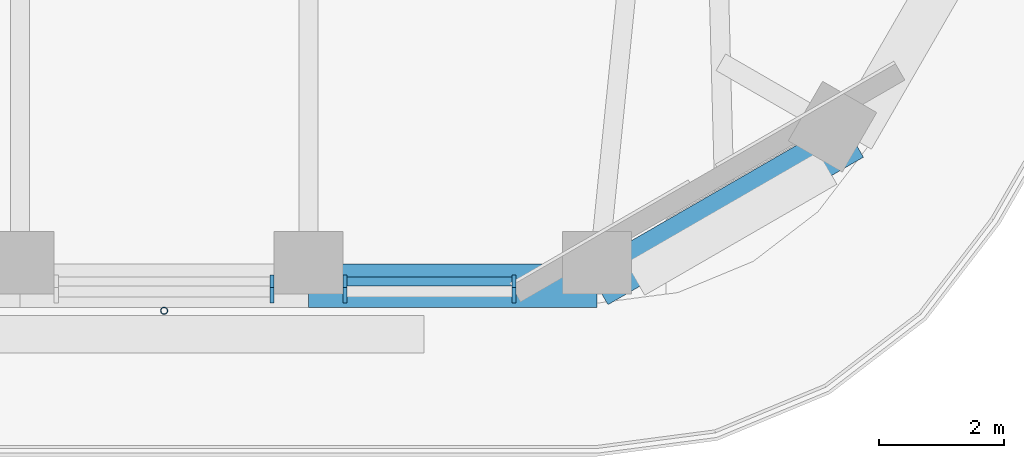
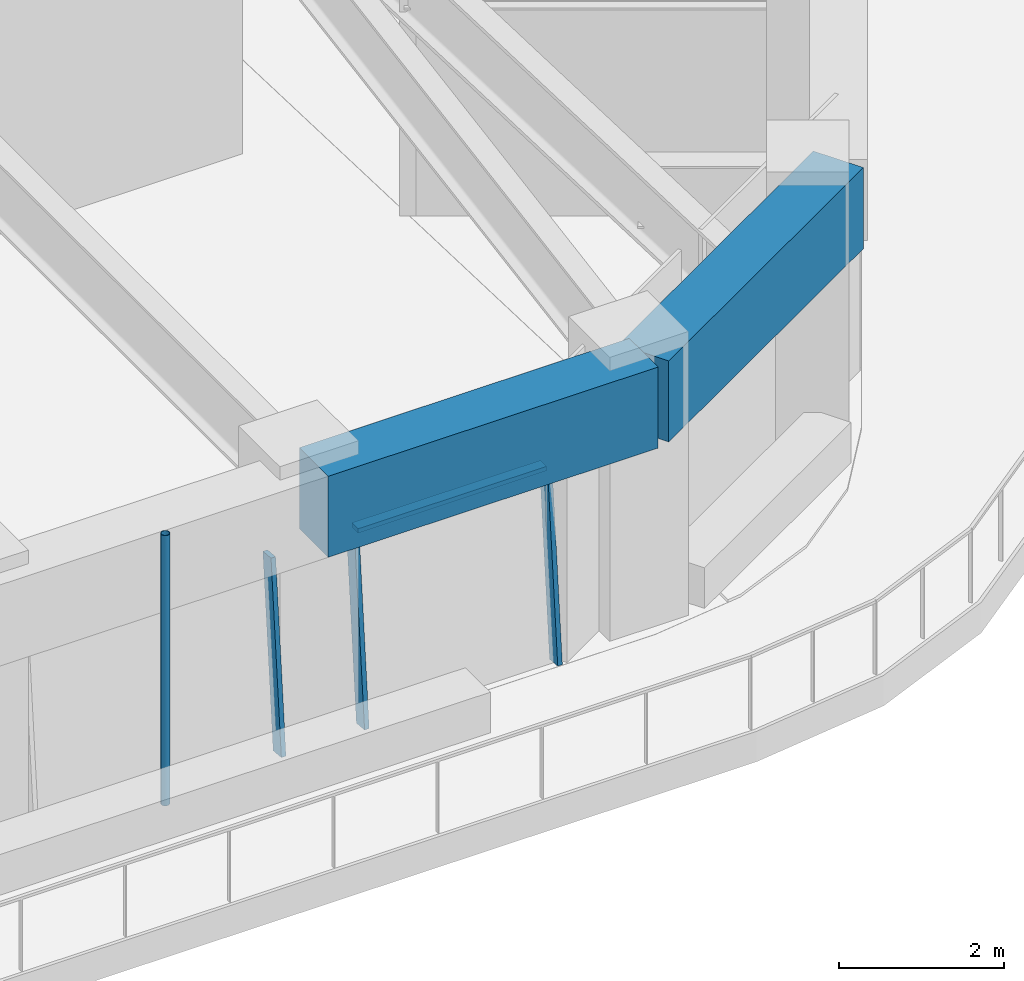
# One storey, part 4 of 20: 5 members, 2 beams, 2 elements without a shape of their own.
"""IFC4 building model written with IfcOpenShell, lengths in metres."""

from ifc_helpers import new_model, si_unit, direction, frame, origin, origin_2d, place, context, subcontext, project, spatial, rectangle, hollow_circle, extrude, material, material_profile, profile_set, type_object, element, aggregate, save


model = new_model("IFC4")

# Units and contexts
model_context = context("Model", 3, precision=1e-05, world=origin(), true_north=direction((0.0, 1.0)))
body_context = subcontext(model_context, "Body", "Model", "MODEL_VIEW")
ifc_project = project(units=[si_unit("LENGTHUNIT", "METRE"), si_unit("AREAUNIT", "SQUARE_METRE"), si_unit("VOLUMEUNIT", "CUBIC_METRE"), si_unit("PLANEANGLEUNIT", "RADIAN"), si_unit("MASSUNIT", "GRAM", prefix="KILO")], contexts=[model_context])

# Site, building, storey
site_placement = place(None, origin())
site = spatial("IfcSite", under=ifc_project, at=site_placement, CompositionType="ELEMENT")
building_placement = place(site_placement, origin())
building = spatial("IfcBuilding", under=site, at=building_placement, Name="Tarfa Lantern Tower", CompositionType="ELEMENT")
storey_placement = place(building_placement, frame((0.0, 0.0, 282.699951171875)))
storey = spatial("IfcBuildingStorey", under=building, at=storey_placement, Name="L64", CompositionType="ELEMENT", Elevation=282.699951171875)

# Curtain wall, member
ifc_material_1 = material(Name="Aluminium framed curtain wall", Category="aluminium")
curtain_wall_type = type_object("IfcCurtainWallType", Name="CW3 CANTED GLAZING HIGH ZONE 2800", PredefinedType="USERDEFINED", material=ifc_material_1)
curtain_wall_1_placement = place(storey_placement, origin())
curtain_wall_1 = element("IfcCurtainWall", 1, at=curtain_wall_1_placement, inside=storey, type_object=curtain_wall_type, Name="CW3 S L64", ObjectType="CURTAIN WALL", PredefinedType="USERDEFINED")
ifc_material_2 = material(Name="Aluminium mullion", Category="aluminium")
ifc_material_profile_1 = material_profile(ifc_material_2, rectangle(XDim=0.06494140625, YDim=0.199951171875, at=origin_2d()), Name="AL MULLION 65x200")
ifc_profile_set_1 = profile_set([ifc_material_profile_1], Name="Aluminium mullion")
member_type_1 = type_object("IfcMemberType", Name="CWM1 MULLION 65x200", PredefinedType="MULLION", material=ifc_profile_set_1)
member_1_placement = place(storey_placement, frame((8.655029296875, -28.89990234375, 0.0), z_axis=(0.0, 0.088930399417, 0.996037842685), x_axis=(-1.0, 0.0, 0.0)))
member_1 = element("IfcMember", 2, at=member_1_placement, type_object=member_type_1, Name="CW3 mullion 2", PredefinedType="MULLION", context=body_context, shape_type="SweptSolid", body=[
    extrude(rectangle(XDim=0.06494140625, YDim=0.199951171875, at=origin_2d()), origin(), (0.0, 0.0, 1.0), 2.811279296875),
])
aggregate(curtain_wall_1, [member_1])

# Curtain wall, members
curtain_wall_2_placement = place(storey_placement, origin())
curtain_wall_2 = element("IfcCurtainWall", 3, at=curtain_wall_2_placement, inside=storey, type_object=curtain_wall_type, Name="CW3 S L64", ObjectType="CURTAIN WALL", PredefinedType="USERDEFINED")
member_2_placement = place(storey_placement, frame((9.820068359375, -28.89990234375, 0.0), z_axis=(0.0, 0.088930399417, 0.996037842685), x_axis=(-1.0, 0.0, 0.0)))
member_2 = element("IfcMember", 4, at=member_2_placement, type_object=member_type_1, Name="CW3 mullion 1", PredefinedType="MULLION", context=body_context, shape_type="SweptSolid", body=[
    extrude(rectangle(XDim=0.06494140625, YDim=0.199951171875, at=origin_2d()), origin(), (0.0, 0.0, 1.0), 2.811279296875),
])
member_3_placement = place(storey_placement, frame((12.52392578125, -28.89990234375, 0.0), z_axis=(0.0, 0.088930399417, 0.996037842685), x_axis=(-1.0, 0.0, 0.0)))
member_3 = element("IfcMember", 5, at=member_3_placement, type_object=member_type_1, Name="CW3 mullion 2", PredefinedType="MULLION", context=body_context, shape_type="SweptSolid", body=[
    extrude(rectangle(XDim=0.06494140625, YDim=0.199951171875, at=origin_2d()), origin(), (0.0, 0.0, 1.0), 2.811279296875),
])
ifc_material_3 = material(Name="Aluminium transom", Category="aluminium")
ifc_material_profile_2 = material_profile(ifc_material_3, rectangle(XDim=0.14990234375, YDim=0.06494140625, at=origin_2d()), Name="AL TRANSOM 150x65")
ifc_profile_set_2 = profile_set([ifc_material_profile_2], Name="Aluminium transom")
member_type_2 = type_object("IfcMemberType", Name="CWT1 TRANSOM 150x65", PredefinedType="USERDEFINED", material=ifc_profile_set_2)
member_4_placement = place(storey_placement, frame((9.8525390625, -28.65283203125, 2.767578125), z_axis=(1.0, 0.0, 0.0), x_axis=(0.0, 1.0, 0.0)))
member_4 = element("IfcMember", 6, at=member_4_placement, type_object=member_type_2, Name="CW3 transom 1.2", ObjectType="TRANSOM", PredefinedType="USERDEFINED", context=body_context, shape_type="SweptSolid", body=[
    extrude(rectangle(XDim=0.14990234375, YDim=0.06494140625, at=origin_2d()), origin(), (0.0, 0.0, 1.0), 2.638916015625),
])
aggregate(curtain_wall_2, [member_2, member_3, member_4])

# Beams
ifc_material_4 = material(Name="Concrete C80/95", Category="concrete")
ifc_material_profile_3 = material_profile(ifc_material_4, rectangle(XDim=0.699951171875, YDim=1.199951171875, at=origin_2d()), Name="RC 700x1200")
ifc_profile_set_3 = profile_set([ifc_material_profile_3], Name="Concrete C80/95")
beam_type = type_object("IfcBeamType", Name="EB3 RC 700x1200", PredefinedType="SPANDREL", material=ifc_profile_set_3)
beam_1_placement = place(storey_placement, frame((9.237548828125, -28.719970703125, 3.400146484375), z_axis=(1.0, 0.0, 0.0), x_axis=(0.0, 1.0, 0.0)))
element("IfcBeam", 7, at=beam_1_placement, inside=storey, type_object=beam_type, Name="Edge beam S5", PredefinedType="SPANDREL", context=body_context, shape_type="SweptSolid", body=[
    extrude(rectangle(XDim=0.699951171875, YDim=1.199951171875, at=origin_2d()), origin(), (0.0, 0.0, 1.0), 4.618896484375),
])
beam_2_placement = place(storey_placement, frame((13.8564453125, -28.719970703125, 3.400146484375), z_axis=(0.866038294681, 0.499977671647, 0.0), x_axis=(-0.499977671647, 0.866038294681, 0.0)))
element("IfcBeam", 8, at=beam_2_placement, inside=storey, type_object=beam_type, Name="Edge beam S6", PredefinedType="SPANDREL", context=body_context, shape_type="SweptSolid", body=[
    extrude(rectangle(XDim=0.699951171875, YDim=1.199951171875, at=origin_2d()), origin(), (0.0, 0.0, 1.0), 4.719970703125),
])

# Member
ifc_material_5 = material(Name="Steel S355", Category="steel")
ifc_material_profile_4 = material_profile(ifc_material_5, hollow_circle(Radius=0.05712890625, WallThickness=0.00634765625, at=origin_2d()), Name="CHS114.3x6.3")
ifc_profile_set_4 = profile_set([ifc_material_profile_4], Name="Steel S355")
member_type_3 = type_object("IfcMemberType", Name="TR1 GREEN WALL TRELLIS CHS114.3x6.3", PredefinedType="USERDEFINED", material=ifc_profile_set_4)
member_5_placement = place(storey_placement, frame((6.92822265625, -29.1201171875, 0.0), z_axis=(0.0, 0.0, 1.0), x_axis=(1.0, 0.0, 0.0)))
element("IfcMember", 9, at=member_5_placement, inside=storey, type_object=member_type_3, Name="Trellis post S 2", ObjectType="TRELLIS", PredefinedType="USERDEFINED", context=body_context, shape_type="SweptSolid", body=[
    extrude(hollow_circle(Radius=0.05712890625, WallThickness=0.00634765625, at=origin_2d()), origin(), (0.0, 0.0, 1.0), 4.0),
])

save(model, "model.ifc")
